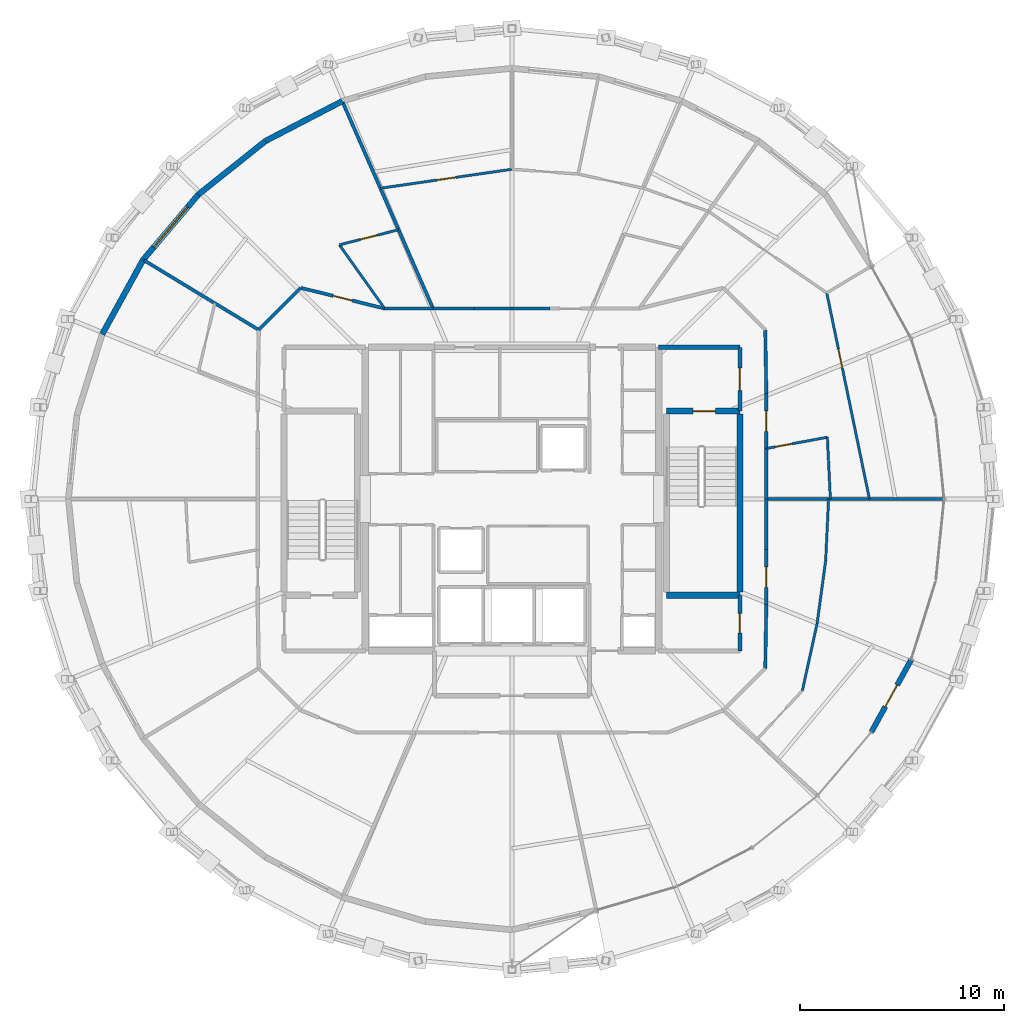
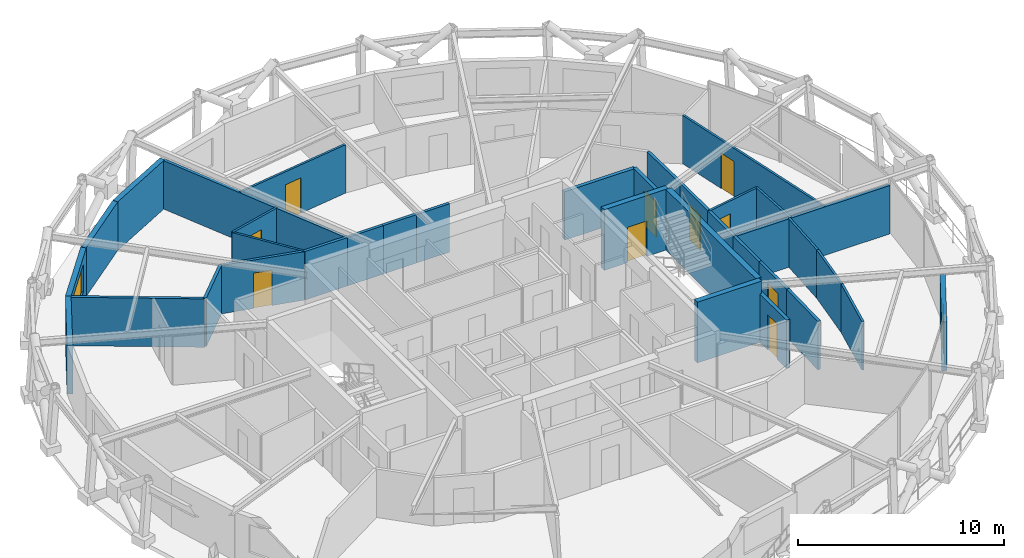
# One storey, part 14 of 16: 35 walls, 11 doors, 1 window, 12 openings.
"""IFC4 building model written with IfcOpenShell, lengths in metres."""

from ifc_helpers import new_model, si_unit, direction, frame, frame_2d, origin, place, context, subcontext, project, spatial, rectangle, extrude, material, layer, layer_set, type_object, element, fill, save


model = new_model("IFC4")

# Units and contexts
model_context = context("Model", 3, precision=1e-05, world=origin(), true_north=direction((0.0, 1.0)))
body_context = subcontext(model_context, "Body", "Model", "MODEL_VIEW")
ifc_project = project(units=[si_unit("LENGTHUNIT", "METRE"), si_unit("AREAUNIT", "SQUARE_METRE"), si_unit("VOLUMEUNIT", "CUBIC_METRE"), si_unit("PLANEANGLEUNIT", "RADIAN"), si_unit("MASSUNIT", "GRAM", prefix="KILO")], contexts=[model_context])

# Site, building, storey
site_placement = place(None, origin())
site = spatial("IfcSite", under=ifc_project, at=site_placement, CompositionType="ELEMENT")
building_placement = place(site_placement, origin())
building = spatial("IfcBuilding", under=site, at=building_placement, Name="Veldorina Hangang Commons", CompositionType="ELEMENT")
storey_placement = place(building_placement, frame((0.0, 0.0, 240.0)))
storey = spatial("IfcBuildingStorey", under=building, at=storey_placement, Name="L62", CompositionType="ELEMENT", Elevation=240.0)

# Wall, opening, door
ifc_material_1 = material(Name="Stone Roman Travertine", Category="masonry")
ifc_layer_1 = layer(ifc_material_1, 0.260009765625)
ifc_layer_set_1 = layer_set([ifc_layer_1], Name="Stone Roman Travertine")
wall_type_1 = type_object("IfcWallType", Name="EW-LOGGIA-260", PredefinedType="STANDARD", material=ifc_layer_set_1)
wall_1_placement = place(storey_placement, frame((49.631591796875, 12.56982421875, 0.0), z_axis=(0.0, 0.0, 1.0), x_axis=(0.482567107431, 0.875858999397, 0.0)))
wall_1 = element("IfcWall", 1, at=wall_1_placement, inside=storey, type_object=wall_type_1, Name="L62 sky-garden loggia portal wall 29", PredefinedType="STANDARD", context=body_context, shape_type="SweptSolid", body=[
    extrude(rectangle(XDim=4.06103515625, YDim=0.260009765625, at=frame_2d((2.030517578125, 0.0))), origin(), (0.0, 0.0, 1.0), 2.8798828125),
])
opening_1_placement = place(wall_1_placement, frame((1.430419921875, 0.0, 0.0)))
opening_1 = element("IfcOpeningElement", 2, at=opening_1_placement, cuts=wall_1, Name="Opening BD-1200", PredefinedType="OPENING", context=body_context, shape_type="SweptSolid", body=[
    extrude(rectangle(XDim=1.199951171875, YDim=2.14990234375, at=frame_2d((0.60009765625, 1.074951171875))), frame((0.0, 0.14013671875, 0.0), z_axis=(0.0, -1.0, 0.0), x_axis=(1.0, 0.0, 0.0)), (0.0, 0.0, 1.0), 0.280029296875),
])
ifc_material_2 = material(Name="Glass Thermal Aluminium Frame", Category="aluminium")
door_type_1 = type_object("IfcDoorType", Name="DR-EXT-LOG1200", OperationType="SINGLE_SWING_LEFT", PredefinedType="DOOR", material=ifc_material_2)
door_1_placement = place(opening_1_placement, origin())
door_1 = element("IfcDoor", 3, at=door_1_placement, inside=storey, type_object=door_type_1, Name="L62 loggia glazed exterior door 29", OperationType="SINGLE_SWING_RIGHT", OverallHeight=2.14990234375, OverallWidth=1.199951171875, PredefinedType="DOOR", context=body_context, shape_type="SweptSolid", body=[
    extrude(rectangle(XDim=1.199951171875, YDim=2.14990234375, at=frame_2d((0.60009765625, 1.074951171875))), frame((0.0, 0.02490234375, 0.0), z_axis=(0.0, -1.0, 0.0), x_axis=(1.0, 0.0, 0.0)), (0.0, 0.0, 1.0), 0.050048828125),
])
fill(opening_1, door_1)

# Walls
ifc_layer_2 = layer(ifc_material_1, 0.280029296875)
ifc_layer_set_2 = layer_set([ifc_layer_2], Name="Stone Roman Travertine")
wall_type_2 = type_object("IfcWallType", Name="EW-TRAV-280", PredefinedType="STANDARD", material=ifc_layer_set_2)
wall_2_placement = place(storey_placement, frame((23.670654296875, 43.525146484375, 0.0), z_axis=(0.0, 0.0, 1.0), x_axis=(-0.887588000353, -0.460638189504, 0.0)))
element("IfcWall", 4, at=wall_2_placement, inside=storey, type_object=wall_type_2, Name="L62 travertine facade wall 10", PredefinedType="STANDARD", context=body_context, shape_type="SweptSolid", body=[
    extrude(rectangle(XDim=4.239501953125, YDim=0.280029296875, at=frame_2d((2.11962890625, 0.0))), origin(), (0.0, 0.0, 1.0), 2.8798828125),
])
wall_3_placement = place(storey_placement, frame((19.90771484375, 41.572265625, 0.0), z_axis=(0.0, 0.0, 1.0), x_axis=(-0.782030895384, -0.623239663906, 0.0)))
element("IfcWall", 5, at=wall_3_placement, inside=storey, type_object=wall_type_2, Name="L62 travertine facade wall 11", PredefinedType="STANDARD", context=body_context, shape_type="SweptSolid", body=[
    extrude(rectangle(XDim=4.21728515625, YDim=0.280029296875, at=frame_2d((2.108642578125, 0.0))), origin(), (0.0, 0.0, 1.0), 2.8798828125),
])

# Wall, opening, window
wall_4_placement = place(storey_placement, frame((16.609619140625, 38.94384765625, 0.0), z_axis=(0.0, 0.0, 1.0), x_axis=(-0.645568939202, -0.763701999956, 0.0)))
wall_4 = element("IfcWall", 6, at=wall_4_placement, inside=storey, type_object=wall_type_2, Name="L62 travertine facade wall 12", PredefinedType="STANDARD", context=body_context, shape_type="SweptSolid", body=[
    extrude(rectangle(XDim=4.193359375, YDim=0.280029296875, at=frame_2d((2.0966796875, 0.0))), origin(), (0.0, 0.0, 1.0), 2.8798828125),
])
opening_2_placement = place(wall_4_placement, frame((0.796630859375, 0.0, 0.800048828125)))
opening_2 = element("IfcOpeningElement", 7, at=opening_2_placement, cuts=wall_4, Name="Opening W-02", PredefinedType="OPENING", context=body_context, shape_type="SweptSolid", body=[
    extrude(rectangle(XDim=2.60009765625, YDim=1.64990234375, at=frame_2d((1.300048828125, 0.824951171875))), frame((0.0, 0.14990234375, 0.0), z_axis=(0.0, -1.0, 0.0), x_axis=(1.0, 0.0, 0.0)), (0.0, 0.0, 1.0), 0.300048828125),
])
ifc_material_3 = material(Name="Glass Low-E Triple IGU", Category="glass")
window_type = type_object("IfcWindowType", Name="WIN-TWR-2600", PartitioningType="SINGLE_PANEL", PredefinedType="WINDOW", material=ifc_material_3)
window_placement = place(opening_2_placement, origin())
window = element("IfcWindow", 8, at=window_placement, inside=storey, type_object=window_type, Name="L62 facade window 12", OverallHeight=1.64990234375, OverallWidth=2.60009765625, PartitioningType="SINGLE_PANEL", PredefinedType="WINDOW", context=body_context, shape_type="SweptSolid", body=[
    extrude(rectangle(XDim=2.60009765625, YDim=1.64990234375, at=frame_2d((1.300048828125, 0.824951171875))), frame((0.0, 0.030029296875, 0.0), z_axis=(0.0, -1.0, 0.0), x_axis=(1.0, 0.0, 0.0)), (0.0, 0.0, 1.0), 0.06005859375),
])
fill(opening_2, window)

# Walls
wall_5_placement = place(storey_placement, frame((13.902587890625, 35.741455078125, 0.0), z_axis=(0.0, 0.0, 1.0), x_axis=(-0.482219827967, -0.876050248282, 0.0)))
element("IfcWall", 9, at=wall_5_placement, inside=storey, type_object=wall_type_2, Name="L62 travertine facade wall 13", PredefinedType="STANDARD", context=body_context, shape_type="SweptSolid", body=[
    extrude(rectangle(XDim=4.170654296875, YDim=0.280029296875, at=frame_2d((2.08544921875, 0.0))), origin(), (0.0, 0.0, 1.0), 2.8798828125),
])
ifc_material_4 = material(Name="Concrete C50/60", Category="concrete")
ifc_layer_3 = layer(ifc_material_4, 0.300048828125)
ifc_layer_set_3 = layer_set([ifc_layer_3], Name="Concrete C50/60")
wall_type_3 = type_object("IfcWallType", Name="SW-STAIR-300", PredefinedType="SHEAR", material=ifc_layer_set_3)
wall_6_placement = place(storey_placement, frame((43.179931640625, 19.429931640625, 0.0), z_axis=(0.0, 0.0, 1.0), x_axis=(0.0, 1.0, 0.0)))
element("IfcWall", 10, at=wall_6_placement, inside=storey, type_object=wall_type_3, Name="L62 ST2 outer stair shear wall", PredefinedType="SHEAR", context=body_context, shape_type="SweptSolid", body=[
    extrude(rectangle(XDim=8.739990234375, YDim=0.300048828125, at=frame_2d((4.3701171875, 0.0))), origin(), (0.0, 0.0, 1.0), 3.60009765625),
])
wall_7_placement = place(storey_placement, frame((39.580078125, 19.280029296875, 0.0), z_axis=(0.0, 0.0, 1.0), x_axis=(1.0, 0.0, 0.0)))
element("IfcWall", 11, at=wall_7_placement, inside=storey, type_object=wall_type_3, Name="L62 ST2 south stair shear wall", PredefinedType="SHEAR", context=body_context, shape_type="SweptSolid", body=[
    extrude(rectangle(XDim=3.599853515625, YDim=0.300048828125, at=frame_2d((1.7998046875, 0.0))), origin(), (0.0, 0.0, 1.0), 3.60009765625),
])

# Wall, opening, door
wall_8_placement = place(storey_placement, frame((39.580078125, 28.320068359375, 0.0), z_axis=(0.0, 0.0, 1.0), x_axis=(1.0, 0.0, 0.0)))
wall_8 = element("IfcWall", 12, at=wall_8_placement, inside=storey, type_object=wall_type_3, Name="L62 ST2 north stair shear wall", PredefinedType="SHEAR", context=body_context, shape_type="SweptSolid", body=[
    extrude(rectangle(XDim=3.599853515625, YDim=0.300048828125, at=frame_2d((1.7998046875, 0.0))), origin(), (0.0, 0.0, 1.0), 3.60009765625),
])
opening_3_placement = place(wall_8_placement, frame((1.300048828125, 0.0, 0.0)))
opening_3 = element("IfcOpeningElement", 13, at=opening_3_placement, cuts=wall_8, Name="Opening D-08", PredefinedType="OPENING", context=body_context, shape_type="SweptSolid", body=[
    extrude(rectangle(XDim=1.10009765625, YDim=2.10009765625, at=frame_2d((0.550048828125, 1.050048828125))), frame((0.0, 0.16015625, 0.0), z_axis=(0.0, -1.0, 0.0), x_axis=(1.0, 0.0, 0.0)), (0.0, 0.0, 1.0), 0.320068359375),
])
ifc_material_5 = material(Name="Steel Fire-Rated Smoke Seal", Category="steel")
door_type_2 = type_object("IfcDoorType", Name="DR-FIRE-1100", OperationType="SINGLE_SWING_RIGHT", PredefinedType="DOOR", material=ifc_material_5)
door_2_placement = place(opening_3_placement, origin())
door_2 = element("IfcDoor", 14, at=door_2_placement, inside=storey, type_object=door_type_2, Name="L62 Special Escape Stair ST-2 door", OperationType="SINGLE_SWING_RIGHT", OverallHeight=2.10009765625, OverallWidth=1.10009765625, PredefinedType="DOOR", context=body_context, shape_type="SweptSolid", body=[
    extrude(rectangle(XDim=1.10009765625, YDim=2.10009765625, at=frame_2d((0.550048828125, 1.050048828125))), frame((0.0, 0.02490234375, 0.0), z_axis=(0.0, -1.0, 0.0), x_axis=(1.0, 0.0, 0.0)), (0.0, 0.0, 1.0), 0.050048828125),
])
fill(opening_3, door_2)

# Wall
ifc_material_6 = material(Name="Gypsum Fire-Rated Twin Stud Wall", Category="gypsum")
ifc_layer_4 = layer(ifc_material_6, 0.159912109375)
ifc_layer_set_4 = layer_set([ifc_layer_4], Name="Gypsum Fire-Rated Twin Stud Wall")
wall_type_4 = type_object("IfcWallType", Name="WL-FIRE-160", PredefinedType="SOLIDWALL", material=ifc_layer_set_4)
wall_9_placement = place(storey_placement, frame((44.47998046875, 24.0, 0.0), z_axis=(0.0, 0.0, 1.0), x_axis=(0.0, 1.0, 0.0)))
element("IfcWall", 15, at=wall_9_placement, inside=storey, type_object=wall_type_4, Name="L62 Compact collar outer wall 00 056", PredefinedType="SOLIDWALL", context=body_context, shape_type="SweptSolid", body=[
    extrude(rectangle(XDim=2.482421875, YDim=0.159912109375, at=frame_2d((1.2412109375, 0.0))), origin(), (0.0, 0.0, 1.0), 2.8701171875),
])

# Wall, opening, door
wall_10_placement = place(storey_placement, frame((44.47998046875, 26.482421875, 0.0), z_axis=(0.0, 0.0, 1.0), x_axis=(0.0, 1.0, 0.0)))
wall_10 = element("IfcWall", 16, at=wall_10_placement, inside=storey, type_object=wall_type_4, Name="L62 Compact collar outer wall 01 057", PredefinedType="SOLIDWALL", context=body_context, shape_type="SweptSolid", body=[
    extrude(rectangle(XDim=2.68701171875, YDim=0.159912109375, at=frame_2d((1.343505859375, 0.0))), origin(), (0.0, 0.0, 1.0), 2.8701171875),
])
opening_4_placement = place(wall_10_placement, frame((0.843505859375, 0.0, 0.0)))
opening_4 = element("IfcOpeningElement", 17, at=opening_4_placement, cuts=wall_10, Name="Opening D-06", PredefinedType="OPENING", context=body_context, shape_type="SweptSolid", body=[
    extrude(rectangle(XDim=1.0, YDim=2.10009765625, at=frame_2d((0.5, 1.050048828125))), frame((0.0, 0.08984375, 0.0), z_axis=(0.0, -1.0, 0.0), x_axis=(1.0, 0.0, 0.0)), (0.0, 0.0, 1.0), 0.179931640625),
])
ifc_material_7 = material(Name="Timber Fire-Rated Entrance Core", Category="wood")
door_type_3 = type_object("IfcDoorType", Name="DR-UNIT-1000", OperationType="SINGLE_SWING_LEFT", PredefinedType="DOOR", material=ifc_material_7)
door_3_placement = place(opening_4_placement, origin())
door_3 = element("IfcDoor", 18, at=door_3_placement, inside=storey, type_object=door_type_3, Name="L62 Cluster 2 entrance door 029", OperationType="SINGLE_SWING_LEFT", OverallHeight=2.10009765625, OverallWidth=1.0, PredefinedType="DOOR", context=body_context, shape_type="SweptSolid", body=[
    extrude(rectangle(XDim=1.0, YDim=2.10009765625, at=frame_2d((0.5, 1.050048828125))), frame((0.0, 0.02490234375, 0.0), z_axis=(0.0, -1.0, 0.0), x_axis=(1.0, 0.0, 0.0)), (0.0, 0.0, 1.0), 0.050048828125),
])
fill(opening_4, door_3)

# Walls
wall_11_placement = place(storey_placement, frame((44.47998046875, 29.16943359375, 0.0), z_axis=(0.0, 0.0, 1.0), x_axis=(-0.016981035134, 0.999855811828, 0.0)))
element("IfcWall", 19, at=wall_11_placement, inside=storey, type_object=wall_type_4, Name="L62 Compact collar outer wall 02 058", PredefinedType="SOLIDWALL", context=body_context, shape_type="SweptSolid", body=[
    extrude(rectangle(XDim=3.13427734375, YDim=0.159912109375, at=frame_2d((1.567138671875, 0.0))), origin(), (0.0, 0.0, 1.0), 2.8701171875),
])
for number, where, z_axis, x_axis, name in (
    (20, (33.85986328125, 33.35009765625, 0.0), (0.0, 0.0, 1.0), (-1.0, 0.0, 0.0), "L62 Compact collar outer wall 07 063"),
    (21, (32.0, 33.35009765625, 0.0), (0.0, 0.0, 1.0), (-1.0, 0.0, 0.0), "L62 Compact collar outer wall 08 064"),
):
    element("IfcWall", number, at=place(storey_placement, frame(where, z_axis=z_axis, x_axis=x_axis)), inside=storey, type_object=wall_type_4, Name=name, PredefinedType="SOLIDWALL", context=body_context, shape_type="SweptSolid", body=[
        extrude(rectangle(XDim=1.85986328125, YDim=0.159912109375, at=frame_2d((0.929931640625, 0.0))), origin(), (0.0, 0.0, 1.0), 2.8701171875),
    ])
wall_12_placement = place(storey_placement, frame((30.14013671875, 33.35009765625, 0.0), z_axis=(0.0, 0.0, 1.0), x_axis=(-1.0, 0.0, 0.0)))
element("IfcWall", 22, at=wall_12_placement, inside=storey, type_object=wall_type_4, Name="L62 Compact collar outer wall 09 065", PredefinedType="SOLIDWALL", context=body_context, shape_type="SweptSolid", body=[
    extrude(rectangle(XDim=2.012939453125, YDim=0.159912109375, at=frame_2d((1.00634765625, 0.0))), origin(), (0.0, 0.0, 1.0), 2.8701171875),
])
wall_13_placement = place(storey_placement, frame((28.127197265625, 33.35009765625, 0.0), z_axis=(0.0, 0.0, 1.0), x_axis=(-1.0, 0.0, 0.0)))
element("IfcWall", 23, at=wall_13_placement, inside=storey, type_object=wall_type_4, Name="L62 Compact collar outer wall 10 066", PredefinedType="SOLIDWALL", context=body_context, shape_type="SweptSolid", body=[
    extrude(rectangle(XDim=2.374755859375, YDim=0.159912109375, at=frame_2d((1.1875, 0.0))), origin(), (0.0, 0.0, 1.0), 2.8701171875),
])

# Wall, opening, door
wall_14_placement = place(storey_placement, frame((25.75244140625, 33.35009765625, 0.0), z_axis=(0.0, 0.0, 1.0), x_axis=(-0.970939799552, 0.239323850978, 0.0)))
wall_14 = element("IfcWall", 24, at=wall_14_placement, inside=storey, type_object=wall_type_4, Name="L62 Compact collar outer wall 11 067", PredefinedType="SOLIDWALL", context=body_context, shape_type="SweptSolid", body=[
    extrude(rectangle(XDim=4.24072265625, YDim=0.159912109375, at=frame_2d((2.120361328125, 0.0))), origin(), (0.0, 0.0, 1.0), 2.8701171875),
])
opening_5_placement = place(wall_14_placement, frame((1.6455078125, 0.0, 0.0)))
opening_5 = element("IfcOpeningElement", 25, at=opening_5_placement, cuts=wall_14, Name="Opening D-03", PredefinedType="OPENING", context=body_context, shape_type="SweptSolid", body=[
    extrude(rectangle(XDim=0.949951171875, YDim=2.10009765625, at=frame_2d((0.47509765625, 1.050048828125))), frame((0.0, 0.08984375, 0.0), z_axis=(0.0, -1.0, 0.0), x_axis=(1.0, 0.0, 0.0)), (0.0, 0.0, 1.0), 0.179931640625),
])
door_type_4 = type_object("IfcDoorType", Name="DR-UNIT-950", OperationType="SINGLE_SWING_RIGHT", PredefinedType="DOOR", material=ifc_material_7)
door_4_placement = place(opening_5_placement, origin())
door_4 = element("IfcDoor", 26, at=door_4_placement, inside=storey, type_object=door_type_4, Name="L62 Studio 4 entrance door 039", OperationType="SINGLE_SWING_LEFT", OverallHeight=2.10009765625, OverallWidth=0.949951171875, PredefinedType="DOOR", context=body_context, shape_type="SweptSolid", body=[
    extrude(rectangle(XDim=0.949951171875, YDim=2.10009765625, at=frame_2d((0.47509765625, 1.050048828125))), frame((0.0, 0.02490234375, 0.0), z_axis=(0.0, -1.0, 0.0), x_axis=(1.0, 0.0, 0.0)), (0.0, 0.0, 1.0), 0.050048828125),
])
fill(opening_5, door_4)

# Walls
wall_15_placement = place(storey_placement, frame((21.635009765625, 34.364990234375, 0.0), z_axis=(0.0, 0.0, 1.0), x_axis=(-0.707106781187, -0.707106781187, 0.0)))
element("IfcWall", 27, at=wall_15_placement, inside=storey, type_object=wall_type_4, Name="L62 Compact collar outer wall 12 068", PredefinedType="SOLIDWALL", context=body_context, shape_type="SweptSolid", body=[
    extrude(rectangle(XDim=2.915771484375, YDim=0.159912109375, at=frame_2d((1.4580078125, 0.0))), origin(), (0.0, 0.0, 1.0), 2.8701171875),
])
wall_16_placement = place(storey_placement, frame((44.4267578125, 15.69677734375, 0.0), z_axis=(0.0, 0.0, 1.0), x_axis=(0.016981035134, 0.999855811828, 0.0)))
element("IfcWall", 28, at=wall_16_placement, inside=storey, type_object=wall_type_4, Name="L62 Compact collar outer wall 29 085", PredefinedType="SOLIDWALL", context=body_context, shape_type="SweptSolid", body=[
    extrude(rectangle(XDim=3.13427734375, YDim=0.159912109375, at=frame_2d((1.567138671875, 0.0))), origin(), (0.0, 0.0, 1.0), 2.8701171875),
])

# Wall, opening, door
wall_17_placement = place(storey_placement, frame((44.47998046875, 18.83056640625, 0.0), z_axis=(0.0, 0.0, 1.0), x_axis=(0.0, 1.0, 0.0)))
wall_17 = element("IfcWall", 29, at=wall_17_placement, inside=storey, type_object=wall_type_4, Name="L62 Compact collar outer wall 30 086", PredefinedType="SOLIDWALL", context=body_context, shape_type="SweptSolid", body=[
    extrude(rectangle(XDim=2.68701171875, YDim=0.159912109375, at=frame_2d((1.343505859375, 0.0))), origin(), (0.0, 0.0, 1.0), 2.8701171875),
])
opening_6_placement = place(wall_17_placement, frame((0.843505859375, 0.0, 0.0)))
opening_6 = element("IfcOpeningElement", 30, at=opening_6_placement, cuts=wall_17, Name="Opening D-05", PredefinedType="OPENING", context=body_context, shape_type="SweptSolid", body=[
    extrude(rectangle(XDim=1.0, YDim=2.10009765625, at=frame_2d((0.5, 1.050048828125))), frame((0.0, 0.08984375, 0.0), z_axis=(0.0, -1.0, 0.0), x_axis=(1.0, 0.0, 0.0)), (0.0, 0.0, 1.0), 0.179931640625),
])
ifc_material_8 = material(Name="Timber Solid Core Acoustic", Category="wood")
door_type_5 = type_object("IfcDoorType", Name="DR-INT-1000", OperationType="SINGLE_SWING_RIGHT", PredefinedType="DOOR", material=ifc_material_8)
door_5_placement = place(opening_6_placement, origin())
door_5 = element("IfcDoor", 31, at=door_5_placement, inside=storey, type_object=door_type_5, Name="L62 Commons alcove door 026", OperationType="SINGLE_SWING_RIGHT", OverallHeight=2.10009765625, OverallWidth=1.0, PredefinedType="DOOR", context=body_context, shape_type="SweptSolid", body=[
    extrude(rectangle(XDim=1.0, YDim=2.10009765625, at=frame_2d((0.5, 1.050048828125))), frame((0.0, 0.02490234375, 0.0), z_axis=(0.0, -1.0, 0.0), x_axis=(1.0, 0.0, 0.0)), (0.0, 0.0, 1.0), 0.050048828125),
])
fill(opening_6, door_5)

# Walls
wall_18_placement = place(storey_placement, frame((44.47998046875, 21.517578125, 0.0), z_axis=(0.0, 0.0, 1.0), x_axis=(0.0, 1.0, 0.0)))
element("IfcWall", 32, at=wall_18_placement, inside=storey, type_object=wall_type_4, Name="L62 Compact collar outer wall 31 087", PredefinedType="SOLIDWALL", context=body_context, shape_type="SweptSolid", body=[
    extrude(rectangle(XDim=2.482421875, YDim=0.159912109375, at=frame_2d((1.2412109375, 0.0))), origin(), (0.0, 0.0, 1.0), 2.8701171875),
])
wall_19_placement = place(storey_placement, frame((44.47998046875, 24.0, 0.0), z_axis=(0.0, 0.0, 1.0), x_axis=(1.0, 0.0, 0.0)))
element("IfcWall", 33, at=wall_19_placement, inside=storey, type_object=wall_type_4, Name="L62 Unit party wall 00 093", PredefinedType="SOLIDWALL", context=body_context, shape_type="SweptSolid", body=[
    extrude(rectangle(XDim=8.675537109375, YDim=0.159912109375, at=frame_2d((4.337890625, 0.0))), origin(), (0.0, 0.0, 1.0), 2.8701171875),
])
wall_20_placement = place(storey_placement, frame((28.127197265625, 33.35009765625, 0.0), z_axis=(0.0, 0.0, 1.0), x_axis=(-0.401173204802, 0.916002216017, 0.0)))
element("IfcWall", 34, at=wall_20_placement, inside=storey, type_object=wall_type_4, Name="L62 Unit party wall 10 109", PredefinedType="SOLIDWALL", context=body_context, shape_type="SweptSolid", body=[
    extrude(rectangle(XDim=11.058349609375, YDim=0.159912109375, at=frame_2d((5.529296875, 0.0))), origin(), (0.0, 0.0, 1.0), 2.8701171875),
])
wall_21_placement = place(storey_placement, frame((19.5732421875, 32.30322265625, 0.0), z_axis=(0.0, 0.0, 1.0), x_axis=(-0.855087696753, 0.518483394973, 0.0)))
element("IfcWall", 35, at=wall_21_placement, inside=storey, type_object=wall_type_4, Name="L62 Unit party wall 13 112", PredefinedType="SOLIDWALL", context=body_context, shape_type="SweptSolid", body=[
    extrude(rectangle(XDim=6.581298828125, YDim=0.159912109375, at=frame_2d((3.29052734375, 0.0))), origin(), (0.0, 0.0, 1.0), 2.8701171875),
])

# Wall, opening, door
ifc_material_9 = material(Name="Concrete Blockwork Fire Wall C30/37", Category="masonry")
ifc_layer_5 = layer(ifc_material_9, 0.199951171875)
ifc_layer_set_5 = layer_set([ifc_layer_5], Name="Concrete Blockwork Fire Wall C30/37")
wall_type_5 = type_object("IfcWallType", Name="WL-FIRE-200", PredefinedType="SOLIDWALL", material=ifc_layer_set_5)
wall_22_placement = place(storey_placement, frame((43.179931640625, 28.320068359375, 0.0), z_axis=(0.0, 0.0, 1.0), x_axis=(0.0, 1.0, 0.0)))
wall_22 = element("IfcWall", 36, at=wall_22_placement, inside=storey, type_object=wall_type_5, Name="L62 East vestibule outer wall 003", PredefinedType="SOLIDWALL", context=body_context, shape_type="SweptSolid", body=[
    extrude(rectangle(XDim=3.1298828125, YDim=0.199951171875, at=frame_2d((1.56494140625, 0.0))), origin(), (0.0, 0.0, 1.0), 2.8701171875),
])
opening_7_placement = place(wall_22_placement, frame((1.014892578125, 0.0, 0.0)))
opening_7 = element("IfcOpeningElement", 37, at=opening_7_placement, cuts=wall_22, Name="Opening D-08", PredefinedType="OPENING", context=body_context, shape_type="SweptSolid", body=[
    extrude(rectangle(XDim=1.10009765625, YDim=2.10009765625, at=frame_2d((0.550048828125, 1.050048828125))), frame((0.0, 0.10986328125, 0.0), z_axis=(0.0, -1.0, 0.0), x_axis=(1.0, 0.0, 0.0)), (0.0, 0.0, 1.0), 0.219970703125),
])
door_6_placement = place(opening_7_placement, origin())
door_6 = element("IfcDoor", 38, at=door_6_placement, inside=storey, type_object=door_type_2, Name="L62 East vestibule east door 002", OperationType="SINGLE_SWING_RIGHT", OverallHeight=2.10009765625, OverallWidth=1.10009765625, PredefinedType="DOOR", context=body_context, shape_type="SweptSolid", body=[
    extrude(rectangle(XDim=1.10009765625, YDim=2.10009765625, at=frame_2d((0.550048828125, 1.050048828125))), frame((0.0, 0.02490234375, 0.0), z_axis=(0.0, -1.0, 0.0), x_axis=(1.0, 0.0, 0.0)), (0.0, 0.0, 1.0), 0.050048828125),
])
fill(opening_7, door_6)

# Wall
wall_23_placement = place(storey_placement, frame((39.199951171875, 31.449951171875, 0.0), z_axis=(0.0, 0.0, 1.0), x_axis=(1.0, 0.0, 0.0)))
element("IfcWall", 39, at=wall_23_placement, inside=storey, type_object=wall_type_5, Name="L62 East vestibule north wall 004", PredefinedType="SOLIDWALL", context=body_context, shape_type="SweptSolid", body=[
    extrude(rectangle(XDim=3.97998046875, YDim=0.199951171875, at=frame_2d((1.989990234375, 0.0))), origin(), (0.0, 0.0, 1.0), 2.8701171875),
])

# Wall, opening, door
wall_24_placement = place(storey_placement, frame((43.179931640625, 16.550048828125, 0.0), z_axis=(0.0, 0.0, 1.0), x_axis=(0.0, 1.0, 0.0)))
wall_24 = element("IfcWall", 40, at=wall_24_placement, inside=storey, type_object=wall_type_5, Name="L62 SE core room outer wall 007", PredefinedType="SOLIDWALL", context=body_context, shape_type="SweptSolid", body=[
    extrude(rectangle(XDim=2.72998046875, YDim=0.199951171875, at=frame_2d((1.364990234375, 0.0))), origin(), (0.0, 0.0, 1.0), 2.8701171875),
])
opening_8_placement = place(wall_24_placement, frame((0.889892578125, 0.0, 0.0)))
opening_8 = element("IfcOpeningElement", 41, at=opening_8_placement, cuts=wall_24, Name="Opening D-02", PredefinedType="OPENING", context=body_context, shape_type="SweptSolid", body=[
    extrude(rectangle(XDim=0.949951171875, YDim=2.10009765625, at=frame_2d((0.47509765625, 1.050048828125))), frame((0.0, 0.10986328125, 0.0), z_axis=(0.0, -1.0, 0.0), x_axis=(1.0, 0.0, 0.0)), (0.0, 0.0, 1.0), 0.219970703125),
])
door_type_6 = type_object("IfcDoorType", Name="DR-INT-950", OperationType="SINGLE_SWING_LEFT", PredefinedType="DOOR", material=ifc_material_8)
door_7_placement = place(opening_8_placement, origin())
door_7 = element("IfcDoor", 42, at=door_7_placement, inside=storey, type_object=door_type_6, Name="L62 SE core WC door 004", OperationType="SINGLE_SWING_RIGHT", OverallHeight=2.10009765625, OverallWidth=0.949951171875, PredefinedType="DOOR", context=body_context, shape_type="SweptSolid", body=[
    extrude(rectangle(XDim=0.949951171875, YDim=2.10009765625, at=frame_2d((0.47509765625, 1.050048828125))), frame((0.0, 0.02490234375, 0.0), z_axis=(0.0, -1.0, 0.0), x_axis=(1.0, 0.0, 0.0)), (0.0, 0.0, 1.0), 0.050048828125),
])
fill(opening_8, door_7)

# Walls
ifc_material_10 = material(Name="Gypsum Acoustic Stud Partition", Category="gypsum")
ifc_layer_6 = layer(ifc_material_10, 0.1201171875)
ifc_layer_set_6 = layer_set([ifc_layer_6], Name="Gypsum Acoustic Stud Partition")
wall_type_6 = type_object("IfcWallType", Name="WL-PART-120", PredefinedType="PARTITIONING", material=ifc_layer_set_6)
wall_25_placement = place(storey_placement, frame((46.248291015625, 14.602294921875, 0.0), z_axis=(0.0, 0.0, 1.0), x_axis=(0.214483373709, 0.976727639827, 0.0)))
element("IfcWall", 43, at=wall_25_placement, inside=storey, type_object=wall_type_6, Name="L62 Lounge alcove split 1 090", PredefinedType="PARTITIONING", context=body_context, shape_type="SweptSolid", body=[
    extrude(rectangle(XDim=3.360107421875, YDim=0.1201171875, at=frame_2d((1.68017578125, 0.0))), origin(), (0.0, 0.0, 1.0), 2.8701171875),
])
wall_26_placement = place(storey_placement, frame((46.968994140625, 17.88427734375, 0.0), z_axis=(0.0, 0.0, 1.0), x_axis=(0.135109719624, 0.99083064328, 0.0)))
element("IfcWall", 44, at=wall_26_placement, inside=storey, type_object=wall_type_6, Name="L62 Lounge alcove split 2 091", PredefinedType="PARTITIONING", context=body_context, shape_type="SweptSolid", body=[
    extrude(rectangle(XDim=3.1259765625, YDim=0.1201171875, at=frame_2d((1.56298828125, 0.0))), origin(), (0.0, 0.0, 1.0), 2.8701171875),
])
wall_27_placement = place(storey_placement, frame((47.391357421875, 20.981689453125, 0.0), z_axis=(0.0, 0.0, 1.0), x_axis=(0.047185110315, 0.998886162365, 0.0)))
element("IfcWall", 45, at=wall_27_placement, inside=storey, type_object=wall_type_6, Name="L62 Lounge alcove split 3 092", PredefinedType="PARTITIONING", context=body_context, shape_type="SweptSolid", body=[
    extrude(rectangle(XDim=3.021728515625, YDim=0.1201171875, at=frame_2d((1.5107421875, 0.0))), origin(), (0.0, 0.0, 1.0), 2.8701171875),
])
wall_28_placement = place(storey_placement, frame((47.62109375, 24.0, 0.0), z_axis=(0.0, 0.0, 1.0), x_axis=(-0.048309856008, 0.998832397258, 0.0)))
element("IfcWall", 46, at=wall_28_placement, inside=storey, type_object=wall_type_6, Name="L62 Cluster 2 bath front wall 094", PredefinedType="PARTITIONING", context=body_context, shape_type="SweptSolid", body=[
    extrude(rectangle(XDim=3.037353515625, YDim=0.1201171875, at=frame_2d((1.5185546875, 0.0))), origin(), (0.0, 0.0, 1.0), 2.8701171875),
])

# Wall, opening, door
wall_29_placement = place(storey_placement, frame((44.47998046875, 26.482421875, 0.0), z_axis=(0.0, 0.0, 1.0), x_axis=(0.983472356652, 0.181058343361, 0.0)))
wall_29 = element("IfcWall", 47, at=wall_29_placement, inside=storey, type_object=wall_type_6, Name="L62 Cluster 2 bath side wall 095", PredefinedType="PARTITIONING", context=body_context, shape_type="SweptSolid", body=[
    extrude(rectangle(XDim=3.044677734375, YDim=0.1201171875, at=frame_2d((1.5224609375, 0.0))), origin(), (0.0, 0.0, 1.0), 2.8701171875),
])
opening_9_placement = place(wall_29_placement, frame((0.43994140625, 0.0, 0.0)))
opening_9 = element("IfcOpeningElement", 48, at=opening_9_placement, cuts=wall_29, Name="Opening D-01", PredefinedType="OPENING", context=body_context, shape_type="SweptSolid", body=[
    extrude(rectangle(XDim=0.860107421875, YDim=2.10009765625, at=frame_2d((0.43017578125, 1.050048828125))), frame((0.0, 0.070068359375, 0.0), z_axis=(0.0, -1.0, 0.0), x_axis=(1.0, 0.0, 0.0)), (0.0, 0.0, 1.0), 0.14013671875),
])
ifc_material_11 = material(Name="Timber Moisture-Resistant Core", Category="wood")
door_type_7 = type_object("IfcDoorType", Name="DR-WET-860", OperationType="SINGLE_SWING_LEFT", PredefinedType="DOOR", material=ifc_material_11)
door_8_placement = place(opening_9_placement, origin())
door_8 = element("IfcDoor", 49, at=door_8_placement, inside=storey, type_object=door_type_7, Name="L62 Cluster 2 shared bathroom door 028", OperationType="SINGLE_SWING_RIGHT", OverallHeight=2.10009765625, OverallWidth=0.860107421875, PredefinedType="DOOR", context=body_context, shape_type="SweptSolid", body=[
    extrude(rectangle(XDim=0.860107421875, YDim=2.10009765625, at=frame_2d((0.43017578125, 1.050048828125))), frame((0.0, 0.02490234375, 0.0), z_axis=(0.0, -1.0, 0.0), x_axis=(1.0, 0.0, 0.0)), (0.0, 0.0, 1.0), 0.050048828125),
])
fill(opening_9, door_8)

wall_30_placement = place(storey_placement, frame((49.540771484375, 24.0, 0.0), z_axis=(0.0, 0.0, 1.0), x_axis=(-0.202796260228, 0.979220954043, 0.0)))
wall_30 = element("IfcWall", 50, at=wall_30_placement, inside=storey, type_object=wall_type_6, Name="L62 Cluster 2 bed 1 front wall 096", PredefinedType="PARTITIONING", context=body_context, shape_type="SweptSolid", body=[
    extrude(rectangle(XDim=10.33154296875, YDim=0.1201171875, at=frame_2d((5.165771484375, 0.0))), origin(), (0.0, 0.0, 1.0), 2.8701171875),
])
opening_10_placement = place(wall_30_placement, frame((6.561279296875, 0.0, 0.0)))
opening_10 = element("IfcOpeningElement", 51, at=opening_10_placement, cuts=wall_30, Name="Opening D-02", PredefinedType="OPENING", context=body_context, shape_type="SweptSolid", body=[
    extrude(rectangle(XDim=0.949951171875, YDim=2.10009765625, at=frame_2d((0.47509765625, 1.050048828125))), frame((0.0, 0.070068359375, 0.0), z_axis=(0.0, -1.0, 0.0), x_axis=(1.0, 0.0, 0.0)), (0.0, 0.0, 1.0), 0.14013671875),
])
door_9_placement = place(opening_10_placement, origin())
door_9 = element("IfcDoor", 52, at=door_9_placement, inside=storey, type_object=door_type_6, Name="L62 Cluster 2 bed 1 door 030", OperationType="SINGLE_SWING_RIGHT", OverallHeight=2.10009765625, OverallWidth=0.949951171875, PredefinedType="DOOR", context=body_context, shape_type="SweptSolid", body=[
    extrude(rectangle(XDim=0.949951171875, YDim=2.10009765625, at=frame_2d((0.47509765625, 1.050048828125))), frame((0.0, 0.02490234375, 0.0), z_axis=(0.0, -1.0, 0.0), x_axis=(1.0, 0.0, 0.0)), (0.0, 0.0, 1.0), 0.050048828125),
])
fill(opening_10, door_9)

wall_31_placement = place(storey_placement, frame((32.0, 40.184814453125, 0.0), z_axis=(0.0, 0.0, 1.0), x_axis=(-0.989720707907, -0.143013706829, 0.0)))
wall_31 = element("IfcWall", 53, at=wall_31_placement, inside=storey, type_object=wall_type_6, Name="L62 Cluster 3 bed 4 front wall 107", PredefinedType="PARTITIONING", context=body_context, shape_type="SweptSolid", body=[
    extrude(rectangle(XDim=6.524658203125, YDim=0.1201171875, at=frame_2d((3.26220703125, 0.0))), origin(), (0.0, 0.0, 1.0), 2.8701171875),
])
opening_11_placement = place(wall_31_placement, frame((2.787353515625, 0.0, 0.0)))
opening_11 = element("IfcOpeningElement", 54, at=opening_11_placement, cuts=wall_31, Name="Opening D-02", PredefinedType="OPENING", context=body_context, shape_type="SweptSolid", body=[
    extrude(rectangle(XDim=0.949951171875, YDim=2.10009765625, at=frame_2d((0.47509765625, 1.050048828125))), frame((0.0, 0.070068359375, 0.0), z_axis=(0.0, -1.0, 0.0), x_axis=(1.0, 0.0, 0.0)), (0.0, 0.0, 1.0), 0.14013671875),
])
door_10_placement = place(opening_11_placement, origin())
door_10 = element("IfcDoor", 55, at=door_10_placement, inside=storey, type_object=door_type_6, Name="L62 Cluster 3 bed 4 door 037", OperationType="SINGLE_SWING_LEFT", OverallHeight=2.10009765625, OverallWidth=0.949951171875, PredefinedType="DOOR", context=body_context, shape_type="SweptSolid", body=[
    extrude(rectangle(XDim=0.949951171875, YDim=2.10009765625, at=frame_2d((0.47509765625, 1.050048828125))), frame((0.0, 0.02490234375, 0.0), z_axis=(0.0, -1.0, 0.0), x_axis=(1.0, 0.0, 0.0)), (0.0, 0.0, 1.0), 0.050048828125),
])
fill(opening_11, door_10)

wall_32_placement = place(storey_placement, frame((26.43359375, 37.216552734375, 0.0), z_axis=(0.0, 0.0, 1.0), x_axis=(-0.968819540563, -0.247767426879, 0.0)))
wall_32 = element("IfcWall", 56, at=wall_32_placement, inside=storey, type_object=wall_type_6, Name="L62 Studio 4 bath front wall 110", PredefinedType="PARTITIONING", context=body_context, shape_type="SweptSolid", body=[
    extrude(rectangle(XDim=2.99560546875, YDim=0.1201171875, at=frame_2d((1.497802734375, 0.0))), origin(), (0.0, 0.0, 1.0), 2.8701171875),
])
opening_12_placement = place(wall_32_placement, frame((1.06787109375, 0.0, 0.0)))
opening_12 = element("IfcOpeningElement", 57, at=opening_12_placement, cuts=wall_32, Name="Opening D-01", PredefinedType="OPENING", context=body_context, shape_type="SweptSolid", body=[
    extrude(rectangle(XDim=0.860107421875, YDim=2.10009765625, at=frame_2d((0.43017578125, 1.050048828125))), frame((0.0, 0.070068359375, 0.0), z_axis=(0.0, -1.0, 0.0), x_axis=(1.0, 0.0, 0.0)), (0.0, 0.0, 1.0), 0.14013671875),
])
door_11_placement = place(opening_12_placement, origin())
door_11 = element("IfcDoor", 58, at=door_11_placement, inside=storey, type_object=door_type_7, Name="L62 Studio 4 bathroom door 038", OperationType="SINGLE_SWING_RIGHT", OverallHeight=2.10009765625, OverallWidth=0.860107421875, PredefinedType="DOOR", context=body_context, shape_type="SweptSolid", body=[
    extrude(rectangle(XDim=0.860107421875, YDim=2.10009765625, at=frame_2d((0.43017578125, 1.050048828125))), frame((0.0, 0.02490234375, 0.0), z_axis=(0.0, -1.0, 0.0), x_axis=(1.0, 0.0, 0.0)), (0.0, 0.0, 1.0), 0.050048828125),
])
fill(opening_12, door_11)

# Wall
wall_33_placement = place(storey_placement, frame((25.75244140625, 33.35009765625, 0.0), z_axis=(0.0, 0.0, 1.0), x_axis=(-0.579393118197, 0.81504822838, 0.0)))
element("IfcWall", 59, at=wall_33_placement, inside=storey, type_object=wall_type_6, Name="L62 Studio 4 bath side wall 111", PredefinedType="PARTITIONING", context=body_context, shape_type="SweptSolid", body=[
    extrude(rectangle(XDim=3.833251953125, YDim=0.1201171875, at=frame_2d((1.91650390625, 0.0))), origin(), (0.0, 0.0, 1.0), 2.8701171875),
])

save(model, "model.ifc")
